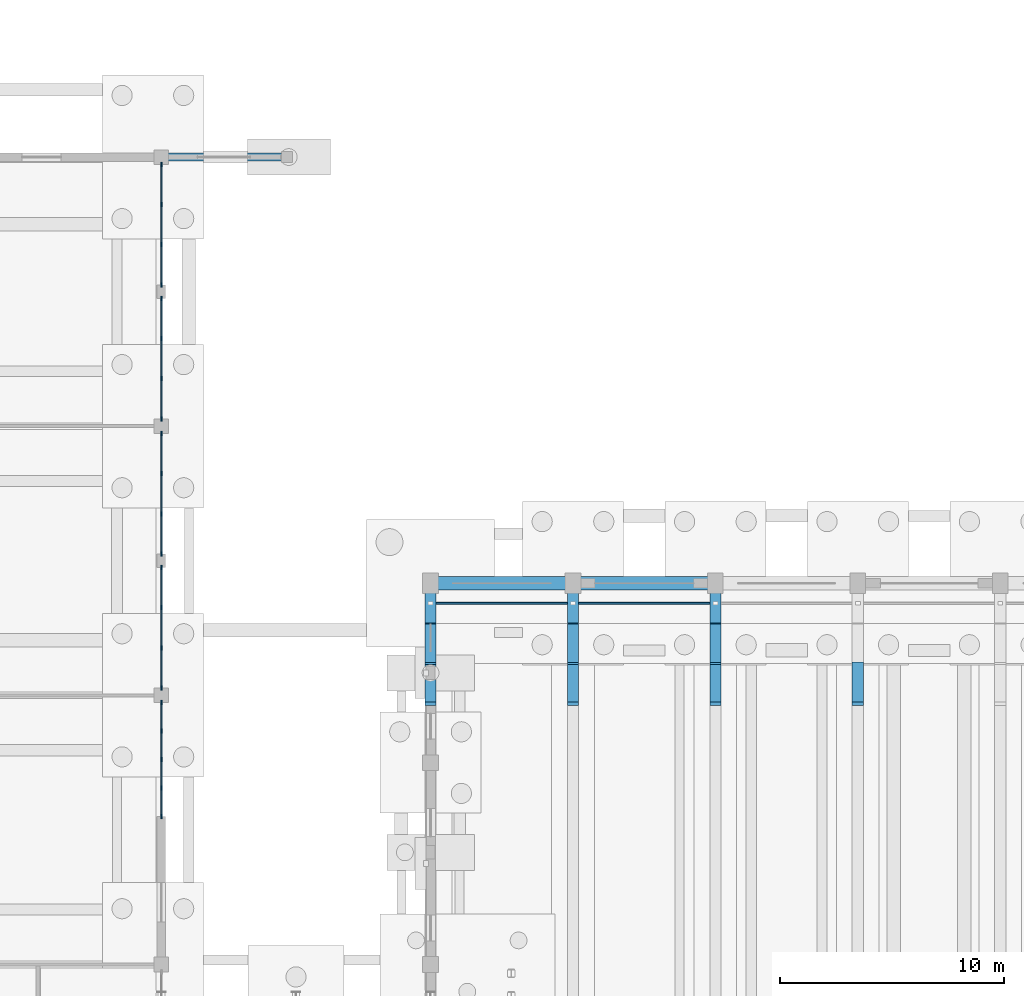
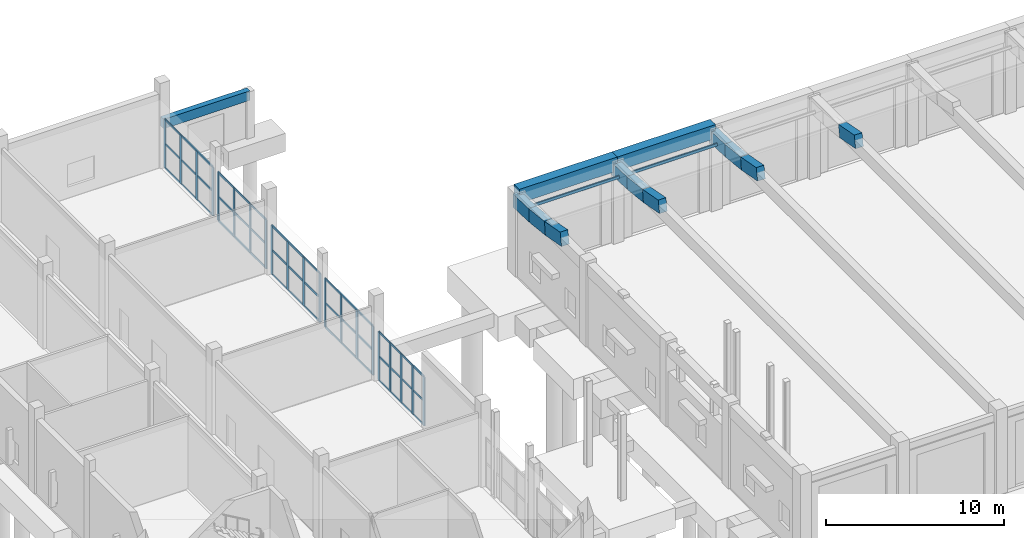
# One storey, part 16 of 60: 48 members, 3 beams, 5 elements without a shape of their own.
"""IFC4 building model written with IfcOpenShell, lengths in metres."""

from ifc_helpers import new_model, si_unit, direction, frame, origin, origin_2d, place, context, subcontext, project, spatial, rectangle, hollow_rectangle, extrude, material, layer, layer_set, material_profile, profile_set, type_object, element, aggregate, save


model = new_model("IFC4")

# Units and contexts
model_context = context("Model", 3, precision=1e-05, world=origin(), true_north=direction((0.0, 1.0)))
body_context = subcontext(model_context, "Body", "Model", "MODEL_VIEW")
ifc_project = project(units=[si_unit("LENGTHUNIT", "METRE"), si_unit("AREAUNIT", "SQUARE_METRE"), si_unit("VOLUMEUNIT", "CUBIC_METRE"), si_unit("PLANEANGLEUNIT", "RADIAN"), si_unit("MASSUNIT", "GRAM", prefix="KILO")], contexts=[model_context])

# Site, building, storey
site_placement = place(None, origin())
site = spatial("IfcSite", under=ifc_project, at=site_placement, CompositionType="ELEMENT")
building_placement = place(site_placement, origin())
building = spatial("IfcBuilding", under=site, at=building_placement, Name="Trellovar Central Fire Station", CompositionType="ELEMENT")
storey_placement = place(building_placement, origin())
storey = spatial("IfcBuildingStorey", under=building, at=storey_placement, Name="L01", CompositionType="ELEMENT", Elevation=0.0)

# Beams
ifc_material_1 = material(Name="Concrete C40/50", Category="concrete")
ifc_material_profile_1 = material_profile(ifc_material_1, rectangle(XDim=0.35009765625, YDim=0.64990234375, at=origin_2d()), Name="RC350X650")
ifc_profile_set_1 = profile_set([ifc_material_profile_1], Name="Concrete C40/50")
beam_type_1 = type_object("IfcBeamType", Name="BM-G5", PredefinedType="BEAM", material=ifc_profile_set_1)
beam_1_placement = place(storey_placement, frame((23.0, 65.0, 2.875), z_axis=(1.0, 0.0, 0.0), x_axis=(0.0, 1.0, 0.0)))
element("IfcBeam", 1, at=beam_1_placement, inside=storey, type_object=beam_type_1, Name="Staff car park gateway portal beam", PredefinedType="BEAM", context=body_context, shape_type="SweptSolid", body=[
    extrude(rectangle(XDim=0.35009765625, YDim=0.64990234375, at=origin_2d()), origin(), (0.0, 0.0, 1.0), 5.60009765625),
])
ifc_material_2 = material(Name="Concrete C40/50", Category="concrete")
ifc_material_profile_2 = material_profile(ifc_material_2, rectangle(XDim=0.60009765625, YDim=0.949951171875, at=origin_2d()), Name="RC600X950")
ifc_profile_set_2 = profile_set([ifc_material_profile_2], Name="Concrete C40/50")
beam_type_2 = type_object("IfcBeamType", Name="BM-RG2", PredefinedType="BEAM", material=ifc_profile_set_2)
beam_2_placement = place(storey_placement, frame((35.0, 46.0, 5.324951171875), z_axis=(1.0, 0.0, 0.0), x_axis=(0.0, 1.0, 0.0)))
element("IfcBeam", 2, at=beam_2_placement, inside=storey, type_object=beam_type_2, Name="V1 north vault springing ring beam", PredefinedType="BEAM", context=body_context, shape_type="SweptSolid", body=[
    extrude(rectangle(XDim=0.60009765625, YDim=0.949951171875, at=origin_2d()), origin(), (0.0, 0.0, 1.0), 6.35009765625),
])
beam_3_placement = place(storey_placement, frame((41.35009765625, 46.0, 5.324951171875), z_axis=(1.0, 0.0, 0.0), x_axis=(0.0, 1.0, 0.0)))
element("IfcBeam", 3, at=beam_3_placement, inside=storey, type_object=beam_type_2, Name="V1 north vault springing ring beam", PredefinedType="BEAM", context=body_context, shape_type="SweptSolid", body=[
    extrude(rectangle(XDim=0.60009765625, YDim=0.949951171875, at=origin_2d()), origin(), (0.0, 0.0, 1.0), 6.349853515625),
])

# Curtain wall, members
ifc_material_3 = material(Name="Thermally broken bronze anodized aluminum", Category="aluminium")
ifc_layer = layer(ifc_material_3, 0.159912109375)
ifc_layer_set = layer_set([ifc_layer], Name="Thermally broken bronze anodized aluminum")
curtain_wall_type = type_object("IfcCurtainWallType", Name="CW-03", PredefinedType="NOTDEFINED", material=ifc_layer_set)
curtain_wall_1_placement = place(storey_placement, origin())
curtain_wall_1 = element("IfcCurtainWall", 4, at=curtain_wall_1_placement, inside=storey, type_object=curtain_wall_type, Name="L01 curtain wall CW-3", PredefinedType="NOTDEFINED")
ifc_material_4 = material(Name="Thermally broken bronze anodized aluminum", Category="aluminium")
ifc_material_profile_3 = material_profile(ifc_material_4, rectangle(XDim=0.074951171875, YDim=0.199951171875, at=origin_2d()), Name="ALU75X200")
ifc_profile_set_3 = profile_set([ifc_material_profile_3], Name="Thermally broken bronze anodized aluminum")
member_type_1 = type_object("IfcMemberType", Name="CWM-1", PredefinedType="MULLION", material=ifc_profile_set_3)
member_1_placement = place(storey_placement, frame((23.0, 35.60009765625, 0.0), z_axis=(0.0, 0.0, 1.0), x_axis=(1.0, 0.0, 0.0)))
member_1 = element("IfcMember", 5, at=member_1_placement, type_object=member_type_1, Name="CW3-L01-0031 mullion 1", PredefinedType="MULLION", context=body_context, shape_type="SweptSolid", body=[
    extrude(rectangle(XDim=0.074951171875, YDim=0.199951171875, at=origin_2d()), origin(), (0.0, 0.0, 1.0), 3.300048828125),
])
member_2_placement = place(storey_placement, frame((23.0, 36.86865234375, 0.0), z_axis=(0.0, 0.0, 1.0), x_axis=(1.0, 0.0, 0.0)))
member_2 = element("IfcMember", 6, at=member_2_placement, type_object=member_type_1, Name="CW3-L01-0031 mullion 2", PredefinedType="MULLION", context=body_context, shape_type="SweptSolid", body=[
    extrude(rectangle(XDim=0.074951171875, YDim=0.199951171875, at=origin_2d()), origin(), (0.0, 0.0, 1.0), 3.300048828125),
])
member_3_placement = place(storey_placement, frame((23.0, 38.137451171875, 0.0), z_axis=(0.0, 0.0, 1.0), x_axis=(1.0, 0.0, 0.0)))
member_3 = element("IfcMember", 7, at=member_3_placement, type_object=member_type_1, Name="CW3-L01-0031 mullion 3", PredefinedType="MULLION", context=body_context, shape_type="SweptSolid", body=[
    extrude(rectangle(XDim=0.074951171875, YDim=0.199951171875, at=origin_2d()), origin(), (0.0, 0.0, 1.0), 3.300048828125),
])
member_4_placement = place(storey_placement, frame((23.0, 39.40625, 0.0), z_axis=(0.0, 0.0, 1.0), x_axis=(1.0, 0.0, 0.0)))
member_4 = element("IfcMember", 8, at=member_4_placement, type_object=member_type_1, Name="CW3-L01-0031 mullion 4", PredefinedType="MULLION", context=body_context, shape_type="SweptSolid", body=[
    extrude(rectangle(XDim=0.074951171875, YDim=0.199951171875, at=origin_2d()), origin(), (0.0, 0.0, 1.0), 3.300048828125),
])
member_5_placement = place(storey_placement, frame((23.0, 40.675048828125, 0.0), z_axis=(0.0, 0.0, 1.0), x_axis=(1.0, 0.0, 0.0)))
member_5 = element("IfcMember", 9, at=member_5_placement, type_object=member_type_1, Name="CW3-L01-0031 mullion 5", PredefinedType="MULLION", context=body_context, shape_type="SweptSolid", body=[
    extrude(rectangle(XDim=0.074951171875, YDim=0.199951171875, at=origin_2d()), origin(), (0.0, 0.0, 1.0), 3.300048828125),
])

curtain_wall_2_placement = place(storey_placement, origin())
curtain_wall_2 = element("IfcCurtainWall", 10, at=curtain_wall_2_placement, inside=storey, type_object=curtain_wall_type, Name="L01 curtain wall CW-3", PredefinedType="NOTDEFINED")
member_6_placement = place(storey_placement, frame((23.0, 41.324951171875, 0.0), z_axis=(0.0, 0.0, 1.0), x_axis=(1.0, 0.0, 0.0)))
member_6 = element("IfcMember", 11, at=member_6_placement, type_object=member_type_1, Name="CW3-L01-0032 mullion 1", PredefinedType="MULLION", context=body_context, shape_type="SweptSolid", body=[
    extrude(rectangle(XDim=0.074951171875, YDim=0.199951171875, at=origin_2d()), origin(), (0.0, 0.0, 1.0), 3.300048828125),
])
member_7_placement = place(storey_placement, frame((23.0, 43.11669921875, 0.0), z_axis=(0.0, 0.0, 1.0), x_axis=(1.0, 0.0, 0.0)))
member_7 = element("IfcMember", 12, at=member_7_placement, type_object=member_type_1, Name="CW3-L01-0032 mullion 2", PredefinedType="MULLION", context=body_context, shape_type="SweptSolid", body=[
    extrude(rectangle(XDim=0.074951171875, YDim=0.199951171875, at=origin_2d()), origin(), (0.0, 0.0, 1.0), 3.300048828125),
])
member_8_placement = place(storey_placement, frame((23.0, 44.908203125, 0.0), z_axis=(0.0, 0.0, 1.0), x_axis=(1.0, 0.0, 0.0)))
member_8 = element("IfcMember", 13, at=member_8_placement, type_object=member_type_1, Name="CW3-L01-0032 mullion 3", PredefinedType="MULLION", context=body_context, shape_type="SweptSolid", body=[
    extrude(rectangle(XDim=0.074951171875, YDim=0.199951171875, at=origin_2d()), origin(), (0.0, 0.0, 1.0), 3.300048828125),
])
member_9_placement = place(storey_placement, frame((23.0, 46.699951171875, 0.0), z_axis=(0.0, 0.0, 1.0), x_axis=(1.0, 0.0, 0.0)))
member_9 = element("IfcMember", 14, at=member_9_placement, type_object=member_type_1, Name="CW3-L01-0032 mullion 4", PredefinedType="MULLION", context=body_context, shape_type="SweptSolid", body=[
    extrude(rectangle(XDim=0.074951171875, YDim=0.199951171875, at=origin_2d()), origin(), (0.0, 0.0, 1.0), 3.300048828125),
])

curtain_wall_3_placement = place(storey_placement, origin())
curtain_wall_3 = element("IfcCurtainWall", 15, at=curtain_wall_3_placement, inside=storey, type_object=curtain_wall_type, Name="L01 curtain wall CW-3", PredefinedType="NOTDEFINED")
member_10_placement = place(storey_placement, frame((23.0, 47.300048828125, 0.0), z_axis=(0.0, 0.0, 1.0), x_axis=(1.0, 0.0, 0.0)))
member_10 = element("IfcMember", 16, at=member_10_placement, type_object=member_type_1, Name="CW3-L01-0033 mullion 1", PredefinedType="MULLION", context=body_context, shape_type="SweptSolid", body=[
    extrude(rectangle(XDim=0.074951171875, YDim=0.199951171875, at=origin_2d()), origin(), (0.0, 0.0, 1.0), 3.300048828125),
])
member_11_placement = place(storey_placement, frame((23.0, 49.091796875, 0.0), z_axis=(0.0, 0.0, 1.0), x_axis=(1.0, 0.0, 0.0)))
member_11 = element("IfcMember", 17, at=member_11_placement, type_object=member_type_1, Name="CW3-L01-0033 mullion 2", PredefinedType="MULLION", context=body_context, shape_type="SweptSolid", body=[
    extrude(rectangle(XDim=0.074951171875, YDim=0.199951171875, at=origin_2d()), origin(), (0.0, 0.0, 1.0), 3.300048828125),
])
member_12_placement = place(storey_placement, frame((23.0, 50.88330078125, 0.0), z_axis=(0.0, 0.0, 1.0), x_axis=(1.0, 0.0, 0.0)))
member_12 = element("IfcMember", 18, at=member_12_placement, type_object=member_type_1, Name="CW3-L01-0033 mullion 3", PredefinedType="MULLION", context=body_context, shape_type="SweptSolid", body=[
    extrude(rectangle(XDim=0.074951171875, YDim=0.199951171875, at=origin_2d()), origin(), (0.0, 0.0, 1.0), 3.300048828125),
])
member_13_placement = place(storey_placement, frame((23.0, 52.675048828125, 0.0), z_axis=(0.0, 0.0, 1.0), x_axis=(1.0, 0.0, 0.0)))
member_13 = element("IfcMember", 19, at=member_13_placement, type_object=member_type_1, Name="CW3-L01-0033 mullion 4", PredefinedType="MULLION", context=body_context, shape_type="SweptSolid", body=[
    extrude(rectangle(XDim=0.074951171875, YDim=0.199951171875, at=origin_2d()), origin(), (0.0, 0.0, 1.0), 3.300048828125),
])

curtain_wall_4_placement = place(storey_placement, origin())
curtain_wall_4 = element("IfcCurtainWall", 20, at=curtain_wall_4_placement, inside=storey, type_object=curtain_wall_type, Name="L01 curtain wall CW-3", PredefinedType="NOTDEFINED")
member_14_placement = place(storey_placement, frame((23.0, 53.324951171875, 0.0), z_axis=(0.0, 0.0, 1.0), x_axis=(1.0, 0.0, 0.0)))
member_14 = element("IfcMember", 21, at=member_14_placement, type_object=member_type_1, Name="CW3-L01-0034 mullion 1", PredefinedType="MULLION", context=body_context, shape_type="SweptSolid", body=[
    extrude(rectangle(XDim=0.074951171875, YDim=0.199951171875, at=origin_2d()), origin(), (0.0, 0.0, 1.0), 3.300048828125),
])
member_15_placement = place(storey_placement, frame((23.0, 55.11669921875, 0.0), z_axis=(0.0, 0.0, 1.0), x_axis=(1.0, 0.0, 0.0)))
member_15 = element("IfcMember", 22, at=member_15_placement, type_object=member_type_1, Name="CW3-L01-0034 mullion 2", PredefinedType="MULLION", context=body_context, shape_type="SweptSolid", body=[
    extrude(rectangle(XDim=0.074951171875, YDim=0.199951171875, at=origin_2d()), origin(), (0.0, 0.0, 1.0), 3.300048828125),
])
member_16_placement = place(storey_placement, frame((23.0, 56.908203125, 0.0), z_axis=(0.0, 0.0, 1.0), x_axis=(1.0, 0.0, 0.0)))
member_16 = element("IfcMember", 23, at=member_16_placement, type_object=member_type_1, Name="CW3-L01-0034 mullion 3", PredefinedType="MULLION", context=body_context, shape_type="SweptSolid", body=[
    extrude(rectangle(XDim=0.074951171875, YDim=0.199951171875, at=origin_2d()), origin(), (0.0, 0.0, 1.0), 3.300048828125),
])
member_17_placement = place(storey_placement, frame((23.0, 58.699951171875, 0.0), z_axis=(0.0, 0.0, 1.0), x_axis=(1.0, 0.0, 0.0)))
member_17 = element("IfcMember", 24, at=member_17_placement, type_object=member_type_1, Name="CW3-L01-0034 mullion 4", PredefinedType="MULLION", context=body_context, shape_type="SweptSolid", body=[
    extrude(rectangle(XDim=0.074951171875, YDim=0.199951171875, at=origin_2d()), origin(), (0.0, 0.0, 1.0), 3.300048828125),
])

curtain_wall_5_placement = place(storey_placement, origin())
curtain_wall_5 = element("IfcCurtainWall", 25, at=curtain_wall_5_placement, inside=storey, type_object=curtain_wall_type, Name="L01 curtain wall CW-3", PredefinedType="NOTDEFINED")
member_18_placement = place(storey_placement, frame((23.0, 59.300048828125, 0.0), z_axis=(0.0, 0.0, 1.0), x_axis=(1.0, 0.0, 0.0)))
member_18 = element("IfcMember", 26, at=member_18_placement, type_object=member_type_1, Name="CW3-L01-0035 mullion 1", PredefinedType="MULLION", context=body_context, shape_type="SweptSolid", body=[
    extrude(rectangle(XDim=0.074951171875, YDim=0.199951171875, at=origin_2d()), origin(), (0.0, 0.0, 1.0), 3.300048828125),
])
member_19_placement = place(storey_placement, frame((23.0, 61.091796875, 0.0), z_axis=(0.0, 0.0, 1.0), x_axis=(1.0, 0.0, 0.0)))
member_19 = element("IfcMember", 27, at=member_19_placement, type_object=member_type_1, Name="CW3-L01-0035 mullion 2", PredefinedType="MULLION", context=body_context, shape_type="SweptSolid", body=[
    extrude(rectangle(XDim=0.074951171875, YDim=0.199951171875, at=origin_2d()), origin(), (0.0, 0.0, 1.0), 3.300048828125),
])
member_20_placement = place(storey_placement, frame((23.0, 62.88330078125, 0.0), z_axis=(0.0, 0.0, 1.0), x_axis=(1.0, 0.0, 0.0)))
member_20 = element("IfcMember", 28, at=member_20_placement, type_object=member_type_1, Name="CW3-L01-0035 mullion 3", PredefinedType="MULLION", context=body_context, shape_type="SweptSolid", body=[
    extrude(rectangle(XDim=0.074951171875, YDim=0.199951171875, at=origin_2d()), origin(), (0.0, 0.0, 1.0), 3.300048828125),
])
member_21_placement = place(storey_placement, frame((23.0, 64.675048828125, 0.0), z_axis=(0.0, 0.0, 1.0), x_axis=(1.0, 0.0, 0.0)))
member_21 = element("IfcMember", 29, at=member_21_placement, type_object=member_type_1, Name="CW3-L01-0035 mullion 4", PredefinedType="MULLION", context=body_context, shape_type="SweptSolid", body=[
    extrude(rectangle(XDim=0.074951171875, YDim=0.199951171875, at=origin_2d()), origin(), (0.0, 0.0, 1.0), 3.300048828125),
])

# Member
ifc_material_5 = material(Name="Thermally broken bronze anodized aluminum", Category="aluminium")
ifc_material_profile_4 = material_profile(ifc_material_5, rectangle(XDim=0.06005859375, YDim=0.139892578125, at=origin_2d()), Name="ALU60X140")
ifc_profile_set_4 = profile_set([ifc_material_profile_4], Name="Thermally broken bronze anodized aluminum")
member_type_2 = type_object("IfcMemberType", Name="CWT-1", PredefinedType="USERDEFINED", material=ifc_profile_set_4)
member_22_placement = place(storey_placement, frame((23.0, 35.60009765625, 0.0), z_axis=(0.0, 1.0, 0.0), x_axis=(-1.0, 0.0, 0.0)))
member_22 = element("IfcMember", 30, at=member_22_placement, type_object=member_type_2, Name="CW3-L01-0031 transom 1", ObjectType="TRANSOM", PredefinedType="USERDEFINED", context=body_context, shape_type="SweptSolid", body=[
    extrude(rectangle(XDim=0.06005859375, YDim=0.139892578125, at=origin_2d()), origin(), (0.0, 0.0, 1.0), 5.074951171875),
])

member_23_placement = place(storey_placement, frame((23.0, 35.60009765625, 1.64990234375), z_axis=(0.0, 1.0, 0.0), x_axis=(-1.0, 0.0, 0.0)))
member_23 = element("IfcMember", 31, at=member_23_placement, type_object=member_type_2, Name="CW3-L01-0031 transom 2", ObjectType="TRANSOM", PredefinedType="USERDEFINED", context=body_context, shape_type="SweptSolid", body=[
    extrude(rectangle(XDim=0.06005859375, YDim=0.139892578125, at=origin_2d()), origin(), (0.0, 0.0, 1.0), 5.074951171875),
])

member_24_placement = place(storey_placement, frame((23.0, 35.60009765625, 3.300048828125), z_axis=(0.0, 1.0, 0.0), x_axis=(-1.0, 0.0, 0.0)))
member_24 = element("IfcMember", 32, at=member_24_placement, type_object=member_type_2, Name="CW3-L01-0031 transom 3", ObjectType="TRANSOM", PredefinedType="USERDEFINED", context=body_context, shape_type="SweptSolid", body=[
    extrude(rectangle(XDim=0.06005859375, YDim=0.139892578125, at=origin_2d()), origin(), (0.0, 0.0, 1.0), 5.074951171875),
])

aggregate(curtain_wall_1, [member_1, member_2, member_3, member_4, member_5, member_22, member_23, member_24])

member_25_placement = place(storey_placement, frame((23.0, 41.324951171875, 0.0), z_axis=(0.0, 1.0, 0.0), x_axis=(-1.0, 0.0, 0.0)))
member_25 = element("IfcMember", 33, at=member_25_placement, type_object=member_type_2, Name="CW3-L01-0032 transom 1", ObjectType="TRANSOM", PredefinedType="USERDEFINED", context=body_context, shape_type="SweptSolid", body=[
    extrude(rectangle(XDim=0.06005859375, YDim=0.139892578125, at=origin_2d()), origin(), (0.0, 0.0, 1.0), 5.375),
])

member_26_placement = place(storey_placement, frame((23.0, 41.324951171875, 1.64990234375), z_axis=(0.0, 1.0, 0.0), x_axis=(-1.0, 0.0, 0.0)))
member_26 = element("IfcMember", 34, at=member_26_placement, type_object=member_type_2, Name="CW3-L01-0032 transom 2", ObjectType="TRANSOM", PredefinedType="USERDEFINED", context=body_context, shape_type="SweptSolid", body=[
    extrude(rectangle(XDim=0.06005859375, YDim=0.139892578125, at=origin_2d()), origin(), (0.0, 0.0, 1.0), 5.375),
])

member_27_placement = place(storey_placement, frame((23.0, 41.324951171875, 3.300048828125), z_axis=(0.0, 1.0, 0.0), x_axis=(-1.0, 0.0, 0.0)))
member_27 = element("IfcMember", 35, at=member_27_placement, type_object=member_type_2, Name="CW3-L01-0032 transom 3", ObjectType="TRANSOM", PredefinedType="USERDEFINED", context=body_context, shape_type="SweptSolid", body=[
    extrude(rectangle(XDim=0.06005859375, YDim=0.139892578125, at=origin_2d()), origin(), (0.0, 0.0, 1.0), 5.375),
])

aggregate(curtain_wall_2, [member_6, member_7, member_8, member_9, member_25, member_26, member_27])

member_28_placement = place(storey_placement, frame((23.0, 47.300048828125, 0.0), z_axis=(0.0, 1.0, 0.0), x_axis=(-1.0, 0.0, 0.0)))
member_28 = element("IfcMember", 36, at=member_28_placement, type_object=member_type_2, Name="CW3-L01-0033 transom 1", ObjectType="TRANSOM", PredefinedType="USERDEFINED", context=body_context, shape_type="SweptSolid", body=[
    extrude(rectangle(XDim=0.06005859375, YDim=0.139892578125, at=origin_2d()), origin(), (0.0, 0.0, 1.0), 5.375),
])

member_29_placement = place(storey_placement, frame((23.0, 47.300048828125, 1.64990234375), z_axis=(0.0, 1.0, 0.0), x_axis=(-1.0, 0.0, 0.0)))
member_29 = element("IfcMember", 37, at=member_29_placement, type_object=member_type_2, Name="CW3-L01-0033 transom 2", ObjectType="TRANSOM", PredefinedType="USERDEFINED", context=body_context, shape_type="SweptSolid", body=[
    extrude(rectangle(XDim=0.06005859375, YDim=0.139892578125, at=origin_2d()), origin(), (0.0, 0.0, 1.0), 5.375),
])

member_30_placement = place(storey_placement, frame((23.0, 47.300048828125, 3.300048828125), z_axis=(0.0, 1.0, 0.0), x_axis=(-1.0, 0.0, 0.0)))
member_30 = element("IfcMember", 38, at=member_30_placement, type_object=member_type_2, Name="CW3-L01-0033 transom 3", ObjectType="TRANSOM", PredefinedType="USERDEFINED", context=body_context, shape_type="SweptSolid", body=[
    extrude(rectangle(XDim=0.06005859375, YDim=0.139892578125, at=origin_2d()), origin(), (0.0, 0.0, 1.0), 5.375),
])

aggregate(curtain_wall_3, [member_10, member_11, member_12, member_13, member_28, member_29, member_30])

member_31_placement = place(storey_placement, frame((23.0, 53.324951171875, 0.0), z_axis=(0.0, 1.0, 0.0), x_axis=(-1.0, 0.0, 0.0)))
member_31 = element("IfcMember", 39, at=member_31_placement, type_object=member_type_2, Name="CW3-L01-0034 transom 1", ObjectType="TRANSOM", PredefinedType="USERDEFINED", context=body_context, shape_type="SweptSolid", body=[
    extrude(rectangle(XDim=0.06005859375, YDim=0.139892578125, at=origin_2d()), origin(), (0.0, 0.0, 1.0), 5.375),
])

member_32_placement = place(storey_placement, frame((23.0, 53.324951171875, 1.64990234375), z_axis=(0.0, 1.0, 0.0), x_axis=(-1.0, 0.0, 0.0)))
member_32 = element("IfcMember", 40, at=member_32_placement, type_object=member_type_2, Name="CW3-L01-0034 transom 2", ObjectType="TRANSOM", PredefinedType="USERDEFINED", context=body_context, shape_type="SweptSolid", body=[
    extrude(rectangle(XDim=0.06005859375, YDim=0.139892578125, at=origin_2d()), origin(), (0.0, 0.0, 1.0), 5.375),
])

member_33_placement = place(storey_placement, frame((23.0, 53.324951171875, 3.300048828125), z_axis=(0.0, 1.0, 0.0), x_axis=(-1.0, 0.0, 0.0)))
member_33 = element("IfcMember", 41, at=member_33_placement, type_object=member_type_2, Name="CW3-L01-0034 transom 3", ObjectType="TRANSOM", PredefinedType="USERDEFINED", context=body_context, shape_type="SweptSolid", body=[
    extrude(rectangle(XDim=0.06005859375, YDim=0.139892578125, at=origin_2d()), origin(), (0.0, 0.0, 1.0), 5.375),
])

aggregate(curtain_wall_4, [member_14, member_15, member_16, member_17, member_31, member_32, member_33])

member_34_placement = place(storey_placement, frame((23.0, 59.300048828125, 0.0), z_axis=(0.0, 1.0, 0.0), x_axis=(-1.0, 0.0, 0.0)))
member_34 = element("IfcMember", 42, at=member_34_placement, type_object=member_type_2, Name="CW3-L01-0035 transom 1", ObjectType="TRANSOM", PredefinedType="USERDEFINED", context=body_context, shape_type="SweptSolid", body=[
    extrude(rectangle(XDim=0.06005859375, YDim=0.139892578125, at=origin_2d()), origin(), (0.0, 0.0, 1.0), 5.375),
])

member_35_placement = place(storey_placement, frame((23.0, 59.300048828125, 1.64990234375), z_axis=(0.0, 1.0, 0.0), x_axis=(-1.0, 0.0, 0.0)))
member_35 = element("IfcMember", 43, at=member_35_placement, type_object=member_type_2, Name="CW3-L01-0035 transom 2", ObjectType="TRANSOM", PredefinedType="USERDEFINED", context=body_context, shape_type="SweptSolid", body=[
    extrude(rectangle(XDim=0.06005859375, YDim=0.139892578125, at=origin_2d()), origin(), (0.0, 0.0, 1.0), 5.375),
])

member_36_placement = place(storey_placement, frame((23.0, 59.300048828125, 3.300048828125), z_axis=(0.0, 1.0, 0.0), x_axis=(-1.0, 0.0, 0.0)))
member_36 = element("IfcMember", 44, at=member_36_placement, type_object=member_type_2, Name="CW3-L01-0035 transom 3", ObjectType="TRANSOM", PredefinedType="USERDEFINED", context=body_context, shape_type="SweptSolid", body=[
    extrude(rectangle(XDim=0.06005859375, YDim=0.139892578125, at=origin_2d()), origin(), (0.0, 0.0, 1.0), 5.375),
])

aggregate(curtain_wall_5, [member_18, member_19, member_20, member_21, member_34, member_35, member_36])

# Members
ifc_material_6 = material(Name="Concrete C40/50", Category="concrete")
ifc_material_profile_5 = material_profile(ifc_material_6, rectangle(XDim=0.5, YDim=0.89990234375, at=origin_2d()), Name="RC500X900")
ifc_profile_set_5 = profile_set([ifc_material_profile_5], Name="Concrete C40/50")
member_type_3 = type_object("IfcMemberType", Name="MEM-AR1", PredefinedType="CHORD", material=ifc_profile_set_5)
member_37_placement = place(storey_placement, frame((35.0, 40.6201171875, 5.548095703125), z_axis=(0.0, 0.983094207927, -0.183100459693), x_axis=(-1.0, 0.0, 0.0)))
element("IfcMember", 45, at=member_37_placement, inside=storey, type_object=member_type_3, Name="Parabolic arch rib AR-01 chord 16", PredefinedType="CHORD", context=body_context, shape_type="SweptSolid", body=[
    extrude(rectangle(XDim=0.5, YDim=0.89990234375, at=origin_2d()), origin(), (0.0, 0.0, 1.0), 1.823974609375),
])
member_38_placement = place(storey_placement, frame((35.0, 42.413330078125, 5.214111328125), z_axis=(0.0, 0.993931492222, -0.110000858042), x_axis=(-1.0, 0.0, 0.0)))
element("IfcMember", 46, at=member_38_placement, inside=storey, type_object=member_type_3, Name="Parabolic arch rib AR-01 chord 17", PredefinedType="CHORD", context=body_context, shape_type="SweptSolid", body=[
    extrude(rectangle(XDim=0.5, YDim=0.89990234375, at=origin_2d()), origin(), (0.0, 0.0, 1.0), 1.804443359375),
])
member_39_placement = place(storey_placement, frame((35.0, 44.206787109375, 5.015625), z_axis=(0.0, 0.999330031555, -0.036599016813), x_axis=(-1.0, 0.0, 0.0)))
element("IfcMember", 47, at=member_39_placement, inside=storey, type_object=member_type_3, Name="Parabolic arch rib AR-01 chord 18", PredefinedType="CHORD", context=body_context, shape_type="SweptSolid", body=[
    extrude(rectangle(XDim=0.5, YDim=0.89990234375, at=origin_2d()), origin(), (0.0, 0.0, 1.0), 1.79443359375),
])
ifc_material_7 = material(Name="Concrete C40/50", Category="concrete")
ifc_material_profile_6 = material_profile(ifc_material_7, rectangle(XDim=0.5, YDim=0.85009765625, at=origin_2d()), Name="RC500X850")
ifc_profile_set_6 = profile_set([ifc_material_profile_6], Name="Concrete C40/50")
member_type_4 = type_object("IfcMemberType", Name="MEM-AR2", PredefinedType="CHORD", material=ifc_profile_set_6)
member_40_placement = place(storey_placement, frame((41.35009765625, 40.6201171875, 5.548095703125), z_axis=(0.0, 0.983094207927, -0.183100459693), x_axis=(-1.0, 0.0, 0.0)))
element("IfcMember", 48, at=member_40_placement, inside=storey, type_object=member_type_4, Name="Parabolic arch rib AR-02 chord 16", PredefinedType="CHORD", context=body_context, shape_type="SweptSolid", body=[
    extrude(rectangle(XDim=0.5, YDim=0.85009765625, at=origin_2d()), origin(), (0.0, 0.0, 1.0), 1.823974609375),
])
member_41_placement = place(storey_placement, frame((41.35009765625, 42.413330078125, 5.214111328125), z_axis=(0.0, 0.993931492222, -0.110000858042), x_axis=(-1.0, 0.0, 0.0)))
element("IfcMember", 49, at=member_41_placement, inside=storey, type_object=member_type_4, Name="Parabolic arch rib AR-02 chord 17", PredefinedType="CHORD", context=body_context, shape_type="SweptSolid", body=[
    extrude(rectangle(XDim=0.5, YDim=0.85009765625, at=origin_2d()), origin(), (0.0, 0.0, 1.0), 1.804443359375),
])
member_42_placement = place(storey_placement, frame((41.35009765625, 44.206787109375, 5.015625), z_axis=(0.0, 0.999330031555, -0.036599016813), x_axis=(-1.0, 0.0, 0.0)))
element("IfcMember", 50, at=member_42_placement, inside=storey, type_object=member_type_4, Name="Parabolic arch rib AR-02 chord 18", PredefinedType="CHORD", context=body_context, shape_type="SweptSolid", body=[
    extrude(rectangle(XDim=0.5, YDim=0.85009765625, at=origin_2d()), origin(), (0.0, 0.0, 1.0), 1.79443359375),
])
member_43_placement = place(storey_placement, frame((47.699951171875, 40.6201171875, 5.548095703125), z_axis=(0.0, 0.983094207927, -0.183100459693), x_axis=(-1.0, 0.0, 0.0)))
element("IfcMember", 51, at=member_43_placement, inside=storey, type_object=member_type_4, Name="Parabolic arch rib AR-03 chord 16", PredefinedType="CHORD", context=body_context, shape_type="SweptSolid", body=[
    extrude(rectangle(XDim=0.5, YDim=0.85009765625, at=origin_2d()), origin(), (0.0, 0.0, 1.0), 1.823974609375),
])
member_44_placement = place(storey_placement, frame((47.699951171875, 42.413330078125, 5.214111328125), z_axis=(0.0, 0.993931492222, -0.110000858042), x_axis=(-1.0, 0.0, 0.0)))
element("IfcMember", 52, at=member_44_placement, inside=storey, type_object=member_type_4, Name="Parabolic arch rib AR-03 chord 17", PredefinedType="CHORD", context=body_context, shape_type="SweptSolid", body=[
    extrude(rectangle(XDim=0.5, YDim=0.85009765625, at=origin_2d()), origin(), (0.0, 0.0, 1.0), 1.804443359375),
])
member_45_placement = place(storey_placement, frame((47.699951171875, 44.206787109375, 5.015625), z_axis=(0.0, 0.999330031555, -0.036599016813), x_axis=(-1.0, 0.0, 0.0)))
element("IfcMember", 53, at=member_45_placement, inside=storey, type_object=member_type_4, Name="Parabolic arch rib AR-03 chord 18", PredefinedType="CHORD", context=body_context, shape_type="SweptSolid", body=[
    extrude(rectangle(XDim=0.5, YDim=0.85009765625, at=origin_2d()), origin(), (0.0, 0.0, 1.0), 1.79443359375),
])
member_46_placement = place(storey_placement, frame((54.050048828125, 40.6201171875, 5.548095703125), z_axis=(0.0, 0.983094207927, -0.183100459693), x_axis=(-1.0, 0.0, 0.0)))
element("IfcMember", 54, at=member_46_placement, inside=storey, type_object=member_type_4, Name="Parabolic arch rib AR-04 chord 16", PredefinedType="CHORD", context=body_context, shape_type="SweptSolid", body=[
    extrude(rectangle(XDim=0.5, YDim=0.85009765625, at=origin_2d()), origin(), (0.0, 0.0, 1.0), 1.823974609375),
])
ifc_material_8 = material(Name="Steel ASTM A500 Grade C", Category="steel")
ifc_material_profile_7 = material_profile(ifc_material_8, hollow_rectangle(XDim=0.1015625, YDim=0.203125, WallThickness=0.0087890625, InnerFilletRadius=0.0087890625, OuterFilletRadius=0.017822265625, at=origin_2d()), Name="HSS8X4X3/8")
ifc_profile_set_7 = profile_set([ifc_material_profile_7], Name="Steel ASTM A500 Grade C")
member_type_5 = type_object("IfcMemberType", Name="MEM-PU1", PredefinedType="PURLIN", material=ifc_profile_set_7)
member_47_placement = place(storey_placement, frame((35.0, 45.103271484375, 4.892822265625), z_axis=(1.0, 0.0, 0.0), x_axis=(0.0, 1.0, 0.0)))
element("IfcMember", 55, at=member_47_placement, inside=storey, type_object=member_type_5, Name="Vault purlin V1-01-18", PredefinedType="PURLIN", context=body_context, shape_type="SweptSolid", body=[
    extrude(hollow_rectangle(XDim=0.1015625, YDim=0.203125, WallThickness=0.0087890625, InnerFilletRadius=0.0087890625, OuterFilletRadius=0.017822265625, at=origin_2d()), origin(), (0.0, 0.0, 1.0), 6.35009765625),
])
member_48_placement = place(storey_placement, frame((41.35009765625, 45.103271484375, 4.892822265625), z_axis=(1.0, 0.0, 0.0), x_axis=(0.0, 1.0, 0.0)))
element("IfcMember", 56, at=member_48_placement, inside=storey, type_object=member_type_5, Name="Vault purlin V1-02-18", PredefinedType="PURLIN", context=body_context, shape_type="SweptSolid", body=[
    extrude(hollow_rectangle(XDim=0.1015625, YDim=0.203125, WallThickness=0.0087890625, InnerFilletRadius=0.0087890625, OuterFilletRadius=0.017822265625, at=origin_2d()), origin(), (0.0, 0.0, 1.0), 6.349853515625),
])

save(model, "model.ifc")
